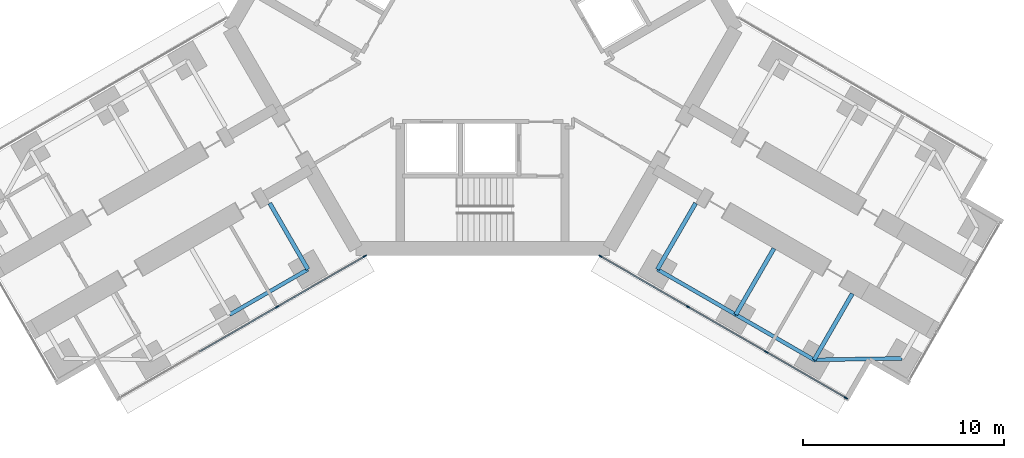
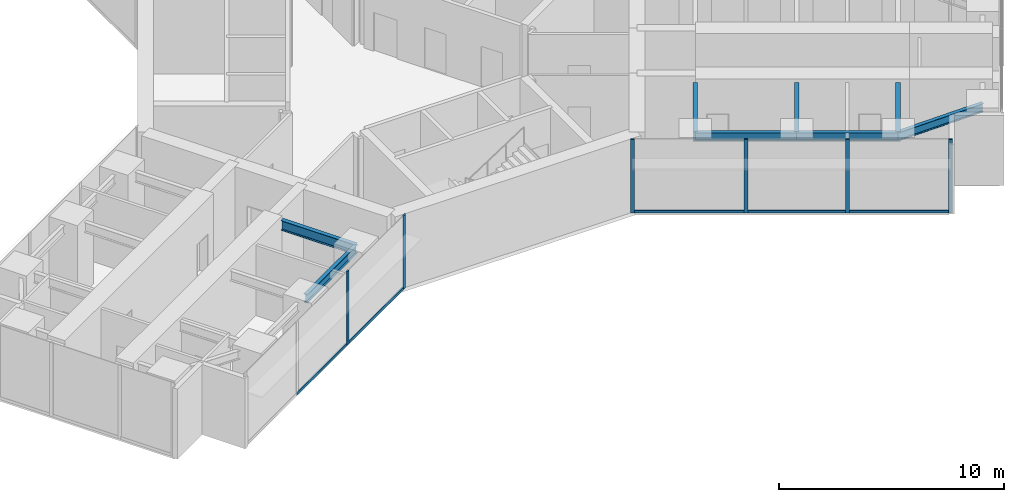
# One storey, part 9 of 24: 11 members, 8 beams, 2 elements without a shape of their own.
"""IFC4 building model written with IfcOpenShell, lengths in metres."""

from ifc_helpers import new_model, si_unit, direction, frame, origin, origin_2d, place, context, subcontext, project, spatial, rectangle, i_section, extrude, material, material_profile, profile_set, type_object, element, aggregate, save


model = new_model("IFC4")

# Units and contexts
model_context = context("Model", 3, precision=1e-05, world=origin(), true_north=direction((0.0, 1.0)))
body_context = subcontext(model_context, "Body", "Model", "MODEL_VIEW")
ifc_project = project(units=[si_unit("LENGTHUNIT", "METRE"), si_unit("AREAUNIT", "SQUARE_METRE"), si_unit("VOLUMEUNIT", "CUBIC_METRE"), si_unit("PLANEANGLEUNIT", "RADIAN"), si_unit("MASSUNIT", "GRAM", prefix="KILO")], contexts=[model_context])

# Site, building, storey
site_placement = place(None, origin())
site = spatial("IfcSite", under=ifc_project, at=site_placement, CompositionType="ELEMENT")
building_placement = place(site_placement, origin())
building = spatial("IfcBuilding", under=site, at=building_placement, Name="Upepo Twin Towers", CompositionType="ELEMENT")
storey_placement = place(building_placement, frame((0.0, 0.0, 52.5)))
storey = spatial("IfcBuildingStorey", under=building, at=storey_placement, Name="L12", CompositionType="ELEMENT", Elevation=52.5)

# Beams
ifc_material_1 = material(Name="Steel S355", Category="steel")
ifc_material_profile_1 = material_profile(ifc_material_1, i_section(OverallWidth=0.1904296875, OverallDepth=0.45703125, WebThickness=0.009033203125, FlangeThickness=0.014404296875, FilletRadius=0.01025390625, at=origin_2d()), Name="UB 457x191x74")
ifc_profile_set_1 = profile_set([ifc_material_profile_1], Name="Steel S355")
beam_type_1 = type_object("IfcBeamType", Name="Beam UB 457x191x74", PredefinedType="BEAM", material=ifc_profile_set_1)
for number, where, z_axis, x_axis, name in (
    (1, (49.80859375, -29.946044921875, 3.571533203125), (-0.866017533419, -0.500013631625, 0.0), (0.500013631625, -0.866017533419, 0.0), "T2 edge beam BL 13.5-18.0"),
    (2, (67.19140625, -29.946044921875, 3.571533203125), (0.866017533419, -0.500013631625, 0.0), (0.500013631625, 0.866017533419, 0.0), "T2 edge beam CR 13.5-18.0"),
):
    element("IfcBeam", number, at=place(storey_placement, frame(where, z_axis=z_axis, x_axis=x_axis)), inside=storey, type_object=beam_type_1, Name=name, PredefinedType="BEAM", context=body_context, shape_type="SweptSolid", body=[
        extrude(i_section(OverallWidth=0.1904296875, OverallDepth=0.45703125, WebThickness=0.009033203125, FlangeThickness=0.014404296875, FilletRadius=0.01025390625, at=origin_2d()), origin(), (0.0, 0.0, 1.0), 4.499755859375),
    ])
beam_1_placement = place(storey_placement, frame((71.08837890625, -32.196044921875, 3.571533203125), z_axis=(0.866031096941, -0.499990139034, 0.0), x_axis=(0.499990139034, 0.866031096941, 0.0)))
element("IfcBeam", 3, at=beam_1_placement, inside=storey, type_object=beam_type_1, Name="T2 edge beam CR 18.0-22.5", PredefinedType="BEAM", context=body_context, shape_type="SweptSolid", body=[
    extrude(i_section(OverallWidth=0.1904296875, OverallDepth=0.45703125, WebThickness=0.009033203125, FlangeThickness=0.014404296875, FilletRadius=0.01025390625, at=origin_2d()), origin(), (0.0, 0.0, 1.0), 4.5),
])
beam_2_placement = place(storey_placement, frame((74.985595703125, -34.446044921875, 3.571533203125), z_axis=(0.999858804832, 0.016803880528, 0.0), x_axis=(-0.016803880528, 0.999858804832, 0.0)))
element("IfcBeam", 4, at=beam_2_placement, inside=storey, type_object=beam_type_1, Name="T2 nose edge beam CR", PredefinedType="BEAM", context=body_context, shape_type="SweptSolid", body=[
    extrude(i_section(OverallWidth=0.1904296875, OverallDepth=0.45703125, WebThickness=0.009033203125, FlangeThickness=0.014404296875, FilletRadius=0.01025390625, at=origin_2d()), origin(), (0.0, 0.0, 1.0), 4.373291015625),
])
ifc_material_2 = material(Name="Steel S355", Category="steel")
ifc_material_profile_2 = material_profile(ifc_material_2, i_section(OverallWidth=0.209228515625, OverallDepth=0.533203125, WebThickness=0.010009765625, FlangeThickness=0.015625, FilletRadius=0.0126953125, at=origin_2d()), Name="UB 533x210x92")
ifc_profile_set_2 = profile_set([ifc_material_profile_2], Name="Steel S355")
beam_type_2 = type_object("IfcBeamType", Name="Beam UB 533x210x92", PredefinedType="BEAM", material=ifc_profile_set_2)
for number, where, z_axis, x_axis, name in (
    (5, (49.80859375, -29.946044921875, 3.533447265625), (-0.499994975061, 0.866028304915, 0.0), (-0.866028304915, -0.499994975061, 0.0), "T2 girder BL at 13.5"),
    (6, (67.19140625, -29.946044921875, 3.533447265625), (0.499994975061, 0.866028304915, 0.0), (-0.866028304915, 0.499994975061, 0.0), "T2 girder CR at 13.5"),
):
    element("IfcBeam", number, at=place(storey_placement, frame(where, z_axis=z_axis, x_axis=x_axis)), inside=storey, type_object=beam_type_2, Name=name, PredefinedType="BEAM", context=body_context, shape_type="SweptSolid", body=[
        extrude(i_section(OverallWidth=0.209228515625, OverallDepth=0.533203125, WebThickness=0.010009765625, FlangeThickness=0.015625, FilletRadius=0.0126953125, at=origin_2d()), origin(), (0.0, 0.0, 1.0), 3.7998046875),
    ])
beam_3_placement = place(storey_placement, frame((71.08837890625, -32.196044921875, 3.533447265625), z_axis=(0.500043160704, 0.866000483506, 0.0), x_axis=(-0.866000483506, 0.500043160704, 0.0)))
element("IfcBeam", 7, at=beam_3_placement, inside=storey, type_object=beam_type_2, Name="T2 girder CR at 18.0", PredefinedType="BEAM", context=body_context, shape_type="SweptSolid", body=[
    extrude(i_section(OverallWidth=0.209228515625, OverallDepth=0.533203125, WebThickness=0.010009765625, FlangeThickness=0.015625, FilletRadius=0.0126953125, at=origin_2d()), origin(), (0.0, 0.0, 1.0), 3.800048828125),
])
beam_4_placement = place(storey_placement, frame((74.985595703125, -34.446044921875, 3.533447265625), z_axis=(0.499994975061, 0.866028304915, 0.0), x_axis=(-0.866028304915, 0.499994975061, 0.0)))
element("IfcBeam", 8, at=beam_4_placement, inside=storey, type_object=beam_type_2, Name="T2 girder CR at 22.5", PredefinedType="BEAM", context=body_context, shape_type="SweptSolid", body=[
    extrude(i_section(OverallWidth=0.209228515625, OverallDepth=0.533203125, WebThickness=0.010009765625, FlangeThickness=0.015625, FilletRadius=0.0126953125, at=origin_2d()), origin(), (0.0, 0.0, 1.0), 3.7998046875),
])

# Curtain wall, members
ifc_material_3 = material(Name="Aluminium and fritted glass", Category="aluminium")
curtain_wall_type = type_object("IfcCurtainWallType", Name="Tower curtain wall TW1, fritted glass", PredefinedType="NOTDEFINED", material=ifc_material_3)
curtain_wall_1_placement = place(storey_placement, origin())
curtain_wall_1 = element("IfcCurtainWall", 9, at=curtain_wall_1_placement, inside=storey, type_object=curtain_wall_type, Name="T2 L12 wing B flank L curtain wall", PredefinedType="NOTDEFINED")
ifc_material_4 = material(Name="Aluminium mullion", Category="aluminium")
ifc_material_profile_3 = material_profile(ifc_material_4, rectangle(XDim=0.06494140625, YDim=0.179931640625, at=origin_2d()), Name="MULLION 65x180")
ifc_profile_set_3 = profile_set([ifc_material_profile_3], Name="Aluminium mullion")
member_type_1 = type_object("IfcMemberType", Name="Mullion 65x180 TW1", PredefinedType="MULLION", material=ifc_profile_set_3)
member_1_placement = place(storey_placement, frame((52.6416015625, -29.2919921875, 0.0), z_axis=(0.0, 0.0, 1.0), x_axis=(0.500000024426, -0.866025389682, 0.0)))
member_1 = element("IfcMember", 10, at=member_1_placement, type_object=member_type_1, Name="T2 L12 wing B flank L curtain wall mullion 1", PredefinedType="MULLION", context=body_context, shape_type="SweptSolid", body=[
    extrude(rectangle(XDim=0.06494140625, YDim=0.179931640625, at=origin_2d()), origin(), (0.0, 0.0, 1.0), 4.0),
])
member_2_placement = place(storey_placement, frame((48.28515625, -31.807373046875, 0.0), z_axis=(0.0, 0.0, 1.0), x_axis=(0.500000024426, -0.866025389682, 0.0)))
member_2 = element("IfcMember", 11, at=member_2_placement, type_object=member_type_1, Name="T2 L12 wing B flank L curtain wall mullion 2", PredefinedType="MULLION", context=body_context, shape_type="SweptSolid", body=[
    extrude(rectangle(XDim=0.06494140625, YDim=0.179931640625, at=origin_2d()), origin(), (0.0, 0.0, 1.0), 4.0),
])

curtain_wall_2_placement = place(storey_placement, origin())
curtain_wall_2 = element("IfcCurtainWall", 12, at=curtain_wall_2_placement, inside=storey, type_object=curtain_wall_type, Name="T2 L12 wing C flank R curtain wall", PredefinedType="NOTDEFINED")
member_3_placement = place(storey_placement, frame((76.567626953125, -36.341064453125, 0.0), z_axis=(0.0, 0.0, 1.0), x_axis=(-0.500000024426, -0.866025389682, 0.0)))
member_3 = element("IfcMember", 13, at=member_3_placement, type_object=member_type_1, Name="T2 L12 wing C flank R curtain wall mullion 1", PredefinedType="MULLION", context=body_context, shape_type="SweptSolid", body=[
    extrude(rectangle(XDim=0.06494140625, YDim=0.179931640625, at=origin_2d()), origin(), (0.0, 0.0, 1.0), 4.0),
])
member_4_placement = place(storey_placement, frame((72.612060546875, -34.057373046875, 0.0), z_axis=(0.0, 0.0, 1.0), x_axis=(-0.500000024426, -0.866025389682, 0.0)))
member_4 = element("IfcMember", 14, at=member_4_placement, type_object=member_type_1, Name="T2 L12 wing C flank R curtain wall mullion 2", PredefinedType="MULLION", context=body_context, shape_type="SweptSolid", body=[
    extrude(rectangle(XDim=0.06494140625, YDim=0.179931640625, at=origin_2d()), origin(), (0.0, 0.0, 1.0), 4.0),
])
member_5_placement = place(storey_placement, frame((68.71484375, -31.807373046875, 0.0), z_axis=(0.0, 0.0, 1.0), x_axis=(-0.500000024426, -0.866025389682, 0.0)))
member_5 = element("IfcMember", 15, at=member_5_placement, type_object=member_type_1, Name="T2 L12 wing C flank R curtain wall mullion 3", PredefinedType="MULLION", context=body_context, shape_type="SweptSolid", body=[
    extrude(rectangle(XDim=0.06494140625, YDim=0.179931640625, at=origin_2d()), origin(), (0.0, 0.0, 1.0), 4.0),
])
member_6_placement = place(storey_placement, frame((64.3583984375, -29.2919921875, 0.0), z_axis=(0.0, 0.0, 1.0), x_axis=(-0.500000024426, -0.866025389682, 0.0)))
member_6 = element("IfcMember", 16, at=member_6_placement, type_object=member_type_1, Name="T2 L12 wing C flank R curtain wall mullion 4", PredefinedType="MULLION", context=body_context, shape_type="SweptSolid", body=[
    extrude(rectangle(XDim=0.06494140625, YDim=0.179931640625, at=origin_2d()), origin(), (0.0, 0.0, 1.0), 4.0),
])

# Member
ifc_material_5 = material(Name="Aluminium transom", Category="aluminium")
ifc_material_profile_4 = material_profile(ifc_material_5, rectangle(XDim=0.06494140625, YDim=0.14990234375, at=origin_2d()), Name="TRANSOM 65x150")
ifc_profile_set_4 = profile_set([ifc_material_profile_4], Name="Aluminium transom")
member_type_2 = type_object("IfcMemberType", Name="Transom 65x150 TW1", PredefinedType="USERDEFINED", material=ifc_profile_set_4)
member_7_placement = place(storey_placement, frame((52.61328125, -29.308349609375, 0.074951171875), z_axis=(-0.866022642139, -0.50000478328, 0.0), x_axis=(0.50000478328, -0.866022642139, 0.0)))
member_7 = element("IfcMember", 17, at=member_7_placement, type_object=member_type_2, Name="T2 L12 wing B flank L curtain wall transom 1", ObjectType="TRANSOM", PredefinedType="USERDEFINED", context=body_context, shape_type="SweptSolid", body=[
    extrude(rectangle(XDim=0.06494140625, YDim=0.14990234375, at=origin_2d()), origin(), (0.0, 0.0, 1.0), 4.96533203125),
])

member_8_placement = place(storey_placement, frame((48.2568359375, -31.823486328125, 0.074951171875), z_axis=(-0.866022410713, -0.500005184116, 0.0), x_axis=(0.500005184116, -0.866022410713, 0.0)))
member_8 = element("IfcMember", 18, at=member_8_placement, type_object=member_type_2, Name="T2 L12 wing B flank L curtain wall transom 2", ObjectType="TRANSOM", PredefinedType="USERDEFINED", context=body_context, shape_type="SweptSolid", body=[
    extrude(rectangle(XDim=0.06494140625, YDim=0.14990234375, at=origin_2d()), origin(), (0.0, 0.0, 1.0), 4.43505859375),
])

aggregate(curtain_wall_1, [member_1, member_2, member_7, member_8])

member_9_placement = place(storey_placement, frame((76.53955078125, -36.32470703125, 0.074951171875), z_axis=(-0.866035699072, 0.499982167615, 0.0), x_axis=(-0.499982167615, -0.866035699072, 0.0)))
member_9 = element("IfcMember", 19, at=member_9_placement, type_object=member_type_2, Name="T2 L12 wing C flank R curtain wall transom 1", ObjectType="TRANSOM", PredefinedType="USERDEFINED", context=body_context, shape_type="SweptSolid", body=[
    extrude(rectangle(XDim=0.06494140625, YDim=0.14990234375, at=origin_2d()), origin(), (0.0, 0.0, 1.0), 4.502685546875),
])

member_10_placement = place(storey_placement, frame((72.583984375, -34.041015625, 0.074951171875), z_axis=(-0.866022410713, 0.500005184116, 0.0), x_axis=(-0.500005184116, -0.866022410713, 0.0)))
member_10 = element("IfcMember", 20, at=member_10_placement, type_object=member_type_2, Name="T2 L12 wing C flank R curtain wall transom 2", ObjectType="TRANSOM", PredefinedType="USERDEFINED", context=body_context, shape_type="SweptSolid", body=[
    extrude(rectangle(XDim=0.06494140625, YDim=0.14990234375, at=origin_2d()), origin(), (0.0, 0.0, 1.0), 4.43505859375),
])

member_11_placement = place(storey_placement, frame((68.686767578125, -31.791015625, 0.074951171875), z_axis=(-0.866022642139, 0.50000478328, 0.0), x_axis=(-0.50000478328, -0.866022642139, 0.0)))
member_11 = element("IfcMember", 21, at=member_11_placement, type_object=member_type_2, Name="T2 L12 wing C flank R curtain wall transom 3", ObjectType="TRANSOM", PredefinedType="USERDEFINED", context=body_context, shape_type="SweptSolid", body=[
    extrude(rectangle(XDim=0.06494140625, YDim=0.14990234375, at=origin_2d()), origin(), (0.0, 0.0, 1.0), 4.96533203125),
])

aggregate(curtain_wall_2, [member_3, member_4, member_5, member_6, member_9, member_10, member_11])

save(model, "model.ifc")
